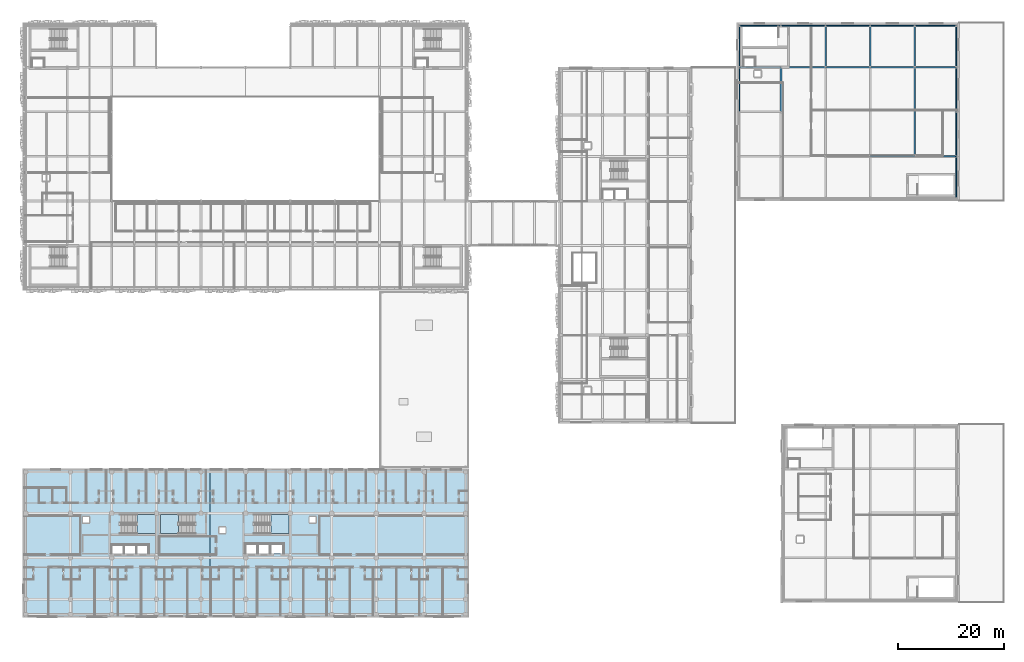
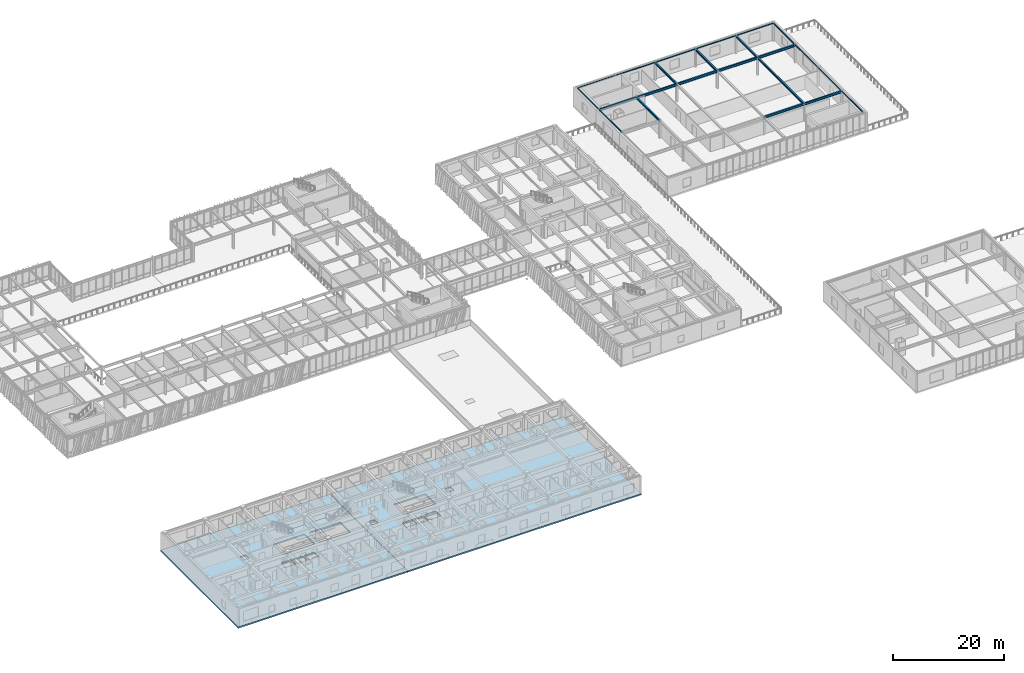
# One storey, part 83 of 127: 23 beams, 5 slabs, 3 elements without a shape of their own.
"""IFC4 building model written with IfcOpenShell, lengths in metres."""

from ifc_helpers import new_model, si_unit, direction, frame, origin, origin_2d, place, context, subcontext, project, spatial, polyline, hollow_rectangle, i_section, outline, extrude, material, layer, layer_set, material_profile, profile_set, type_object, element, aggregate, save


model = new_model("IFC4")

# Units and contexts
model_context = context("Model", 3, precision=1e-05, world=origin(), true_north=direction((0.0, 1.0)))
body_context = subcontext(model_context, "Body", "Model", "MODEL_VIEW")
ifc_project = project(units=[si_unit("LENGTHUNIT", "METRE"), si_unit("AREAUNIT", "SQUARE_METRE"), si_unit("VOLUMEUNIT", "CUBIC_METRE"), si_unit("PLANEANGLEUNIT", "RADIAN"), si_unit("MASSUNIT", "GRAM", prefix="KILO")], contexts=[model_context])

# Site, building, storey
site_placement = place(None, origin())
site = spatial("IfcSite", under=ifc_project, at=site_placement, CompositionType="ELEMENT")
building_placement = place(site_placement, origin())
building = spatial("IfcBuilding", under=site, at=building_placement, Name="Zayran Congress Hotel", CompositionType="ELEMENT")
storey_placement = place(building_placement, frame((0.0, 0.0, 10.800048828125)))
storey = spatial("IfcBuildingStorey", under=building, at=storey_placement, Name="L02", CompositionType="ELEMENT", Elevation=10.800048828125)

# Beams
ifc_material_1 = material(Name="Steel S355", Category="steel")
ifc_material_profile_1 = material_profile(ifc_material_1, i_section(OverallWidth=0.300048828125, OverallDepth=0.489990234375, WebThickness=0.011962890625, FlangeThickness=0.02294921875, at=origin_2d()), Name="HEA 500")
ifc_profile_set_1 = profile_set([ifc_material_profile_1], Name="Steel S355")
beam_type_1 = type_object("IfcBeamType", Name="TP-BM-05", PredefinedType="BEAM", material=ifc_profile_set_1)
beam_1_placement = place(storey_placement, frame((168.0, 92.800048828125, 3.7548828125), z_axis=(1.0, 0.0, 0.0), x_axis=(0.0, 1.0, 0.0)))
element("IfcBeam", 1, at=beam_1_placement, inside=storey, type_object=beam_type_1, Name="BM-V2-L02-1017", PredefinedType="BEAM", context=body_context, shape_type="SweptSolid", body=[
    extrude(i_section(OverallWidth=0.300048828125, OverallDepth=0.489990234375, WebThickness=0.011962890625, FlangeThickness=0.02294921875, at=origin_2d()), origin(), (0.0, 0.0, 1.0), 8.39990234375),
])
for number, where, z_axis, x_axis, name in (
    (2, (176.39990234375, 92.800048828125, 3.7548828125), (1.0, 0.0, 0.0), (0.0, 1.0, 0.0), "BM-V2-L02-1018"),
    (3, (143.39990234375, 109.60009765625, 3.7548828125), (1.0, 0.0, 0.0), (0.0, 1.0, 0.0), "BM-V2-L02-1020"),
):
    element("IfcBeam", number, at=place(storey_placement, frame(where, z_axis=z_axis, x_axis=x_axis)), inside=storey, type_object=beam_type_1, Name=name, PredefinedType="BEAM", context=body_context, shape_type="SweptSolid", body=[
        extrude(i_section(OverallWidth=0.300048828125, OverallDepth=0.489990234375, WebThickness=0.011962890625, FlangeThickness=0.02294921875, at=origin_2d()), origin(), (0.0, 0.0, 1.0), 7.800048828125),
    ])
beam_2_placement = place(storey_placement, frame((151.199951171875, 109.60009765625, 3.7548828125), z_axis=(1.0, 0.0, 0.0), x_axis=(0.0, 1.0, 0.0)))
element("IfcBeam", 4, at=beam_2_placement, inside=storey, type_object=beam_type_1, Name="BM-V2-L02-1021", PredefinedType="BEAM", context=body_context, shape_type="SweptSolid", body=[
    extrude(i_section(OverallWidth=0.300048828125, OverallDepth=0.489990234375, WebThickness=0.011962890625, FlangeThickness=0.02294921875, at=origin_2d()), origin(), (0.0, 0.0, 1.0), 8.400146484375),
])
for number, where, z_axis, x_axis, name in (
    (5, (159.60009765625, 109.60009765625, 3.7548828125), (1.0, 0.0, 0.0), (0.0, 1.0, 0.0), "BM-V2-L02-1022"),
    (6, (168.0, 109.60009765625, 3.7548828125), (1.0, 0.0, 0.0), (0.0, 1.0, 0.0), "BM-V2-L02-1023"),
):
    element("IfcBeam", number, at=place(storey_placement, frame(where, z_axis=z_axis, x_axis=x_axis)), inside=storey, type_object=beam_type_1, Name=name, PredefinedType="BEAM", context=body_context, shape_type="SweptSolid", body=[
        extrude(i_section(OverallWidth=0.300048828125, OverallDepth=0.489990234375, WebThickness=0.011962890625, FlangeThickness=0.02294921875, at=origin_2d()), origin(), (0.0, 0.0, 1.0), 8.39990234375),
    ])
beam_3_placement = place(storey_placement, frame((176.39990234375, 109.60009765625, 3.7548828125), z_axis=(1.0, 0.0, 0.0), x_axis=(0.0, 1.0, 0.0)))
element("IfcBeam", 7, at=beam_3_placement, inside=storey, type_object=beam_type_1, Name="BM-V2-L02-1024", PredefinedType="BEAM", context=body_context, shape_type="SweptSolid", body=[
    extrude(i_section(OverallWidth=0.300048828125, OverallDepth=0.489990234375, WebThickness=0.011962890625, FlangeThickness=0.02294921875, at=origin_2d()), origin(), (0.0, 0.0, 1.0), 7.800048828125),
])
ifc_material_profile_2 = material_profile(ifc_material_1, i_section(OverallWidth=0.300048828125, OverallDepth=0.389892578125, WebThickness=0.010986328125, FlangeThickness=0.01904296875, at=origin_2d()), Name="HEA 400")
ifc_profile_set_2 = profile_set([ifc_material_profile_2], Name="Steel S355")
beam_type_2 = type_object("IfcBeamType", Name="TP-BM-06", PredefinedType="BEAM", material=ifc_profile_set_2)
beam_4_placement = place(storey_placement, frame((151.199951171875, 101.199951171875, 3.804931640625), z_axis=(0.0, 1.0, 0.0), x_axis=(-1.0, 0.0, 0.0)))
element("IfcBeam", 8, at=beam_4_placement, inside=storey, type_object=beam_type_2, Name="BM-V2-L02-1036", PredefinedType="BEAM", context=body_context, shape_type="SweptSolid", body=[
    extrude(i_section(OverallWidth=0.300048828125, OverallDepth=0.389892578125, WebThickness=0.010986328125, FlangeThickness=0.01904296875, at=origin_2d()), origin(), (0.0, 0.0, 1.0), 8.400146484375),
])
for number, where, z_axis, x_axis, name in (
    (9, (159.60009765625, 109.60009765625, 3.804931640625), (0.0, 1.0, 0.0), (-1.0, 0.0, 0.0), "BM-V2-L02-1039"),
    (10, (168.0, 109.60009765625, 3.804931640625), (0.0, 1.0, 0.0), (-1.0, 0.0, 0.0), "BM-V2-L02-1042"),
):
    element("IfcBeam", number, at=place(storey_placement, frame(where, z_axis=z_axis, x_axis=x_axis)), inside=storey, type_object=beam_type_2, Name=name, PredefinedType="BEAM", context=body_context, shape_type="SweptSolid", body=[
        extrude(i_section(OverallWidth=0.300048828125, OverallDepth=0.389892578125, WebThickness=0.010986328125, FlangeThickness=0.01904296875, at=origin_2d()), origin(), (0.0, 0.0, 1.0), 7.7998046875),
    ])
beam_5_placement = place(storey_placement, frame((176.39990234375, 92.800048828125, 3.804931640625), z_axis=(0.0, 1.0, 0.0), x_axis=(-1.0, 0.0, 0.0)))
element("IfcBeam", 11, at=beam_5_placement, inside=storey, type_object=beam_type_2, Name="BM-V2-L02-1043", PredefinedType="BEAM", context=body_context, shape_type="SweptSolid", body=[
    extrude(i_section(OverallWidth=0.300048828125, OverallDepth=0.389892578125, WebThickness=0.010986328125, FlangeThickness=0.01904296875, at=origin_2d()), origin(), (0.0, 0.0, 1.0), 16.800048828125),
])
beam_6_placement = place(storey_placement, frame((176.39990234375, 109.60009765625, 3.804931640625), z_axis=(0.0, 1.0, 0.0), x_axis=(-1.0, 0.0, 0.0)))
element("IfcBeam", 12, at=beam_6_placement, inside=storey, type_object=beam_type_2, Name="BM-V2-L02-1044", PredefinedType="BEAM", context=body_context, shape_type="SweptSolid", body=[
    extrude(i_section(OverallWidth=0.300048828125, OverallDepth=0.389892578125, WebThickness=0.010986328125, FlangeThickness=0.01904296875, at=origin_2d()), origin(), (0.0, 0.0, 1.0), 7.7998046875),
])
ifc_material_profile_3 = material_profile(ifc_material_1, hollow_rectangle(XDim=0.1201171875, YDim=0.199951171875, WallThickness=0.008056640625, at=origin_2d()), Name="RHS 200x120x8")
ifc_profile_set_3 = profile_set([ifc_material_profile_3], Name="Steel S355")
beam_type_3 = type_object("IfcBeamType", Name="TP-SP-02", PredefinedType="SPANDREL", material=ifc_profile_set_3)
beam_7_placement = place(storey_placement, frame((143.39990234375, 117.39990234375, 3.89990234375), z_axis=(1.0, 0.0, 0.0), x_axis=(0.0, 1.0, 0.0)))
element("IfcBeam", 13, at=beam_7_placement, inside=storey, type_object=beam_type_3, Name="BM-V2-L02-1025", PredefinedType="SPANDREL", context=body_context, shape_type="SweptSolid", body=[
    extrude(hollow_rectangle(XDim=0.1201171875, YDim=0.199951171875, WallThickness=0.008056640625, at=origin_2d()), origin(), (0.0, 0.0, 1.0), 7.800048828125),
])
beam_8_placement = place(storey_placement, frame((151.199951171875, 117.39990234375, 3.89990234375), z_axis=(1.0, 0.0, 0.0), x_axis=(0.0, 1.0, 0.0)))
element("IfcBeam", 14, at=beam_8_placement, inside=storey, type_object=beam_type_3, Name="BM-V2-L02-1026", PredefinedType="SPANDREL", context=body_context, shape_type="SweptSolid", body=[
    extrude(hollow_rectangle(XDim=0.1201171875, YDim=0.199951171875, WallThickness=0.008056640625, at=origin_2d()), origin(), (0.0, 0.0, 1.0), 8.400146484375),
])
for number, where, z_axis, x_axis, name in (
    (15, (159.60009765625, 117.39990234375, 3.89990234375), (1.0, 0.0, 0.0), (0.0, 1.0, 0.0), "BM-V2-L02-1027"),
    (16, (168.0, 117.39990234375, 3.89990234375), (1.0, 0.0, 0.0), (0.0, 1.0, 0.0), "BM-V2-L02-1028"),
):
    element("IfcBeam", number, at=place(storey_placement, frame(where, z_axis=z_axis, x_axis=x_axis)), inside=storey, type_object=beam_type_3, Name=name, PredefinedType="SPANDREL", context=body_context, shape_type="SweptSolid", body=[
        extrude(hollow_rectangle(XDim=0.1201171875, YDim=0.199951171875, WallThickness=0.008056640625, at=origin_2d()), origin(), (0.0, 0.0, 1.0), 8.39990234375),
    ])
beam_9_placement = place(storey_placement, frame((176.39990234375, 117.39990234375, 3.89990234375), z_axis=(1.0, 0.0, 0.0), x_axis=(0.0, 1.0, 0.0)))
element("IfcBeam", 17, at=beam_9_placement, inside=storey, type_object=beam_type_3, Name="BM-V2-L02-1029", PredefinedType="SPANDREL", context=body_context, shape_type="SweptSolid", body=[
    extrude(hollow_rectangle(XDim=0.1201171875, YDim=0.199951171875, WallThickness=0.008056640625, at=origin_2d()), origin(), (0.0, 0.0, 1.0), 7.800048828125),
])
beam_10_placement = place(storey_placement, frame((143.39990234375, 101.199951171875, 3.89990234375), z_axis=(0.0, 1.0, 0.0), x_axis=(-1.0, 0.0, 0.0)))
element("IfcBeam", 18, at=beam_10_placement, inside=storey, type_object=beam_type_3, Name="BM-V2-L02-1032", PredefinedType="SPANDREL", context=body_context, shape_type="SweptSolid", body=[
    extrude(hollow_rectangle(XDim=0.1201171875, YDim=0.199951171875, WallThickness=0.008056640625, at=origin_2d()), origin(), (0.0, 0.0, 1.0), 8.400146484375),
])
beam_11_placement = place(storey_placement, frame((143.39990234375, 109.60009765625, 3.89990234375), z_axis=(0.0, 1.0, 0.0), x_axis=(-1.0, 0.0, 0.0)))
element("IfcBeam", 19, at=beam_11_placement, inside=storey, type_object=beam_type_3, Name="BM-V2-L02-1033", PredefinedType="SPANDREL", context=body_context, shape_type="SweptSolid", body=[
    extrude(hollow_rectangle(XDim=0.1201171875, YDim=0.199951171875, WallThickness=0.008056640625, at=origin_2d()), origin(), (0.0, 0.0, 1.0), 7.7998046875),
])
beam_12_placement = place(storey_placement, frame((184.199951171875, 85.0, 3.89990234375), z_axis=(0.0, 1.0, 0.0), x_axis=(-1.0, 0.0, 0.0)))
element("IfcBeam", 20, at=beam_12_placement, inside=storey, type_object=beam_type_3, Name="BM-V2-L02-1045", PredefinedType="SPANDREL", context=body_context, shape_type="SweptSolid", body=[
    extrude(hollow_rectangle(XDim=0.1201171875, YDim=0.199951171875, WallThickness=0.008056640625, at=origin_2d()), origin(), (0.0, 0.0, 1.0), 7.800048828125),
])
beam_13_placement = place(storey_placement, frame((184.199951171875, 92.800048828125, 3.89990234375), z_axis=(0.0, 1.0, 0.0), x_axis=(-1.0, 0.0, 0.0)))
element("IfcBeam", 21, at=beam_13_placement, inside=storey, type_object=beam_type_3, Name="BM-V2-L02-1046", PredefinedType="SPANDREL", context=body_context, shape_type="SweptSolid", body=[
    extrude(hollow_rectangle(XDim=0.1201171875, YDim=0.199951171875, WallThickness=0.008056640625, at=origin_2d()), origin(), (0.0, 0.0, 1.0), 8.39990234375),
])
beam_14_placement = place(storey_placement, frame((184.199951171875, 101.199951171875, 3.89990234375), z_axis=(0.0, 1.0, 0.0), x_axis=(-1.0, 0.0, 0.0)))
element("IfcBeam", 22, at=beam_14_placement, inside=storey, type_object=beam_type_3, Name="BM-V2-L02-1047", PredefinedType="SPANDREL", context=body_context, shape_type="SweptSolid", body=[
    extrude(hollow_rectangle(XDim=0.1201171875, YDim=0.199951171875, WallThickness=0.008056640625, at=origin_2d()), origin(), (0.0, 0.0, 1.0), 8.400146484375),
])
beam_15_placement = place(storey_placement, frame((184.199951171875, 109.60009765625, 3.89990234375), z_axis=(0.0, 1.0, 0.0), x_axis=(-1.0, 0.0, 0.0)))
element("IfcBeam", 23, at=beam_15_placement, inside=storey, type_object=beam_type_3, Name="BM-V2-L02-1048", PredefinedType="SPANDREL", context=body_context, shape_type="SweptSolid", body=[
    extrude(hollow_rectangle(XDim=0.1201171875, YDim=0.199951171875, WallThickness=0.008056640625, at=origin_2d()), origin(), (0.0, 0.0, 1.0), 7.7998046875),
])

# Slabs
ifc_material_2 = material(Name="Concrete C32/40", Category="concrete")
ifc_layer_1 = layer(ifc_material_2, 0.300048828125)
ifc_layer_set_1 = layer_set([ifc_layer_1], Name="Concrete C32/40")
slab_type_1 = type_object("IfcSlabType", Name="SL-FL-300", PredefinedType="FLOOR", material=ifc_layer_set_1)
slab_1_placement = place(storey_placement, frame((0.0, 0.0, -0.300048828125)))
element("IfcSlab", 24, at=slab_1_placement, inside=storey, type_object=slab_type_1, Name="SLB-V5-L02-034", PredefinedType="FLOOR", context=body_context, shape_type="SweptSolid", body=[
    extrude(outline(polyline([(8.39990234375, 6.0), (43.699951171875, 6.0), (43.699951171875, 34.0), (8.39990234375, 34.0), (8.39990234375, 6.0)]), holes=[polyline([(26.840087890625, 21.760009765625), (33.39990234375, 21.760009765625), (33.39990234375, 25.39990234375), (26.840087890625, 25.39990234375), (26.840087890625, 21.760009765625)]), polyline([(25.199951171875, 18.0), (27.39990234375, 18.0), (27.39990234375, 19.60009765625), (25.199951171875, 19.60009765625), (25.199951171875, 18.0)]), polyline([(27.60009765625, 18.0), (29.699951171875, 18.0), (29.699951171875, 19.60009765625), (27.60009765625, 19.60009765625), (27.60009765625, 18.0)]), polyline([(30.0, 18.0), (32.10009765625, 18.0), (32.10009765625, 19.60009765625), (30.0, 19.60009765625), (30.0, 18.0)]), polyline([(34.39990234375, 21.760009765625), (40.860107421875, 21.760009765625), (40.860107421875, 25.39990234375), (34.39990234375, 25.39990234375), (34.39990234375, 21.760009765625)]), polyline([(19.739990234375, 23.800048828125), (20.9599609375, 23.800048828125), (20.9599609375, 24.97998046875), (19.739990234375, 24.97998046875), (19.739990234375, 23.800048828125)])]), origin(), (0.0, 0.0, 1.0), 0.300048828125),
])
slab_2_placement = place(storey_placement, frame((0.0, 0.0, -0.300048828125)))
element("IfcSlab", 25, at=slab_2_placement, inside=storey, type_object=slab_type_1, Name="SLB-V5-L02-035", PredefinedType="FLOOR", context=body_context, shape_type="SweptSolid", body=[
    extrude(outline(polyline([(43.699951171875, 6.0), (92.39990234375, 6.0), (92.39990234375, 34.0), (43.699951171875, 34.0), (43.699951171875, 6.0)]), holes=[polyline([(52.0400390625, 21.760009765625), (58.60009765625, 21.760009765625), (58.60009765625, 25.39990234375), (52.0400390625, 25.39990234375), (52.0400390625, 21.760009765625)]), polyline([(50.39990234375, 18.0), (52.60009765625, 18.0), (52.60009765625, 19.60009765625), (50.39990234375, 19.60009765625), (50.39990234375, 18.0)]), polyline([(52.800048828125, 18.0), (54.89990234375, 18.0), (54.89990234375, 19.60009765625), (52.800048828125, 19.60009765625), (52.800048828125, 18.0)]), polyline([(55.199951171875, 18.0), (57.5, 18.0), (57.5, 19.800048828125), (55.199951171875, 19.800048828125), (55.199951171875, 18.0)]), polyline([(45.39990234375, 21.800048828125), (46.6201171875, 21.800048828125), (46.6201171875, 22.97998046875), (45.39990234375, 22.97998046875), (45.39990234375, 21.800048828125)]), polyline([(62.39990234375, 23.800048828125), (63.6201171875, 23.800048828125), (63.6201171875, 24.97998046875), (62.39990234375, 24.97998046875), (62.39990234375, 23.800048828125)])]), origin(), (0.0, 0.0, 1.0), 0.300048828125),
])

# Stair, slab
stair_type = type_object("IfcStairType", Name="TP-STR-1700-42", PredefinedType="USERDEFINED", material=ifc_material_2)
stair_1_placement = place(storey_placement, origin())
stair_1 = element("IfcStair", 26, at=stair_1_placement, inside=storey, type_object=stair_type, Name="L02 ST-01", ObjectType="TWO_RETURN_STAIR", PredefinedType="USERDEFINED")
ifc_layer_2 = layer(ifc_material_2, 0.199951171875)
ifc_layer_set_2 = layer_set([ifc_layer_2], Name="Concrete C32/40")
slab_type_2 = type_object("IfcSlabType", Name="TP-LND-1700", PredefinedType="LANDING", material=ifc_layer_set_2)
slab_3_placement = place(storey_placement, frame((0.0, 0.0, 1.89990234375)))
slab_3 = element("IfcSlab", 27, at=slab_3_placement, type_object=slab_type_2, Name="ST-01 landing 1", PredefinedType="LANDING", context=body_context, shape_type="SweptSolid", body=[
    extrude(outline(polyline([(29.945068359375, 21.760009765625), (33.39990234375, 21.760009765625), (33.39990234375, 25.39990234375), (29.945068359375, 25.39990234375), (29.945068359375, 21.760009765625)])), origin(), (0.0, 0.0, 1.0), 0.199951171875),
])
aggregate(stair_1, [slab_3])

stair_2_placement = place(storey_placement, origin())
stair_2 = element("IfcStair", 28, at=stair_2_placement, inside=storey, type_object=stair_type, Name="L02 ST-02", ObjectType="TWO_RETURN_STAIR", PredefinedType="USERDEFINED")
slab_4_placement = place(storey_placement, frame((0.0, 0.0, 1.89990234375)))
slab_4 = element("IfcSlab", 29, at=slab_4_placement, type_object=slab_type_2, Name="ST-02 landing 1", PredefinedType="LANDING", context=body_context, shape_type="SweptSolid", body=[
    extrude(outline(polyline([(55.14501953125, 21.760009765625), (58.60009765625, 21.760009765625), (58.60009765625, 25.39990234375), (55.14501953125, 25.39990234375), (55.14501953125, 21.760009765625)])), origin(), (0.0, 0.0, 1.0), 0.199951171875),
])
aggregate(stair_2, [slab_4])

stair_3_placement = place(storey_placement, origin())
stair_3 = element("IfcStair", 30, at=stair_3_placement, inside=storey, type_object=stair_type, Name="L02 ST-13", ObjectType="TWO_RETURN_STAIR", PredefinedType="USERDEFINED")
slab_5_placement = place(storey_placement, frame((0.0, 0.0, 1.89990234375)))
slab_5 = element("IfcSlab", 31, at=slab_5_placement, type_object=slab_type_2, Name="ST-13 landing 1", PredefinedType="LANDING", context=body_context, shape_type="SweptSolid", body=[
    extrude(outline(polyline([(37.7548828125, 25.39990234375), (34.39990234375, 25.39990234375), (34.39990234375, 21.760009765625), (37.7548828125, 21.760009765625), (37.7548828125, 25.39990234375)])), origin(), (0.0, 0.0, 1.0), 0.199951171875),
])
aggregate(stair_3, [slab_5])

save(model, "model.ifc")
